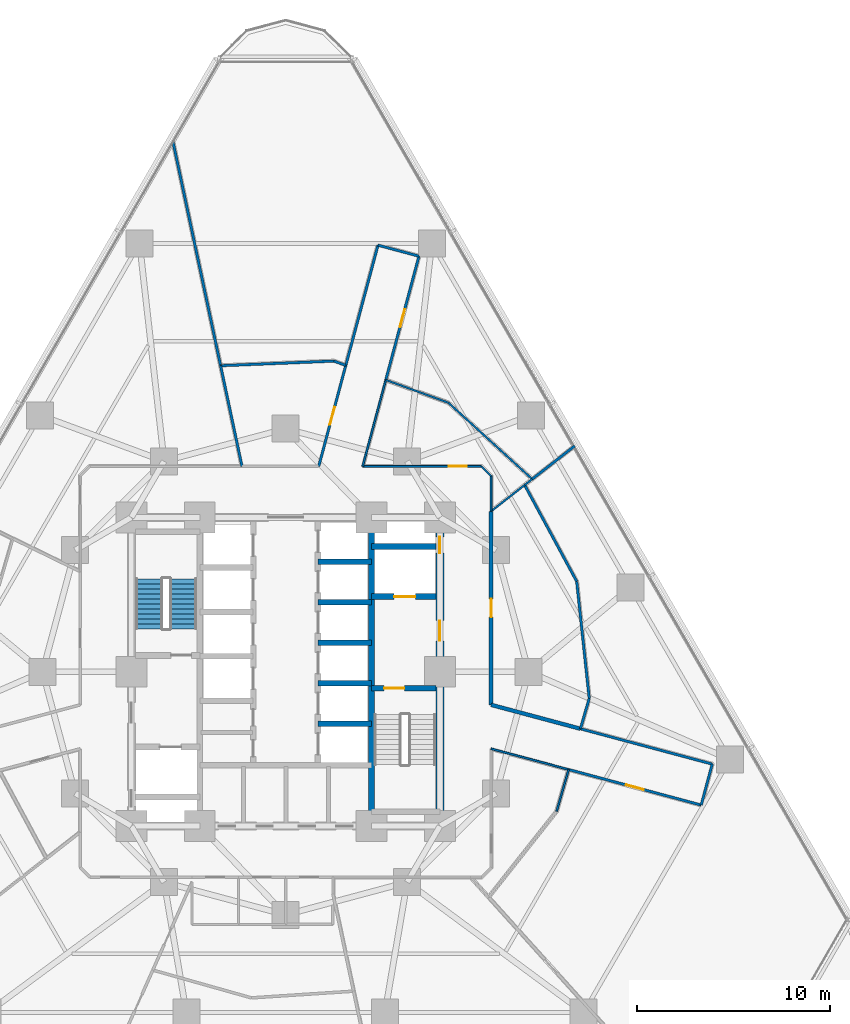
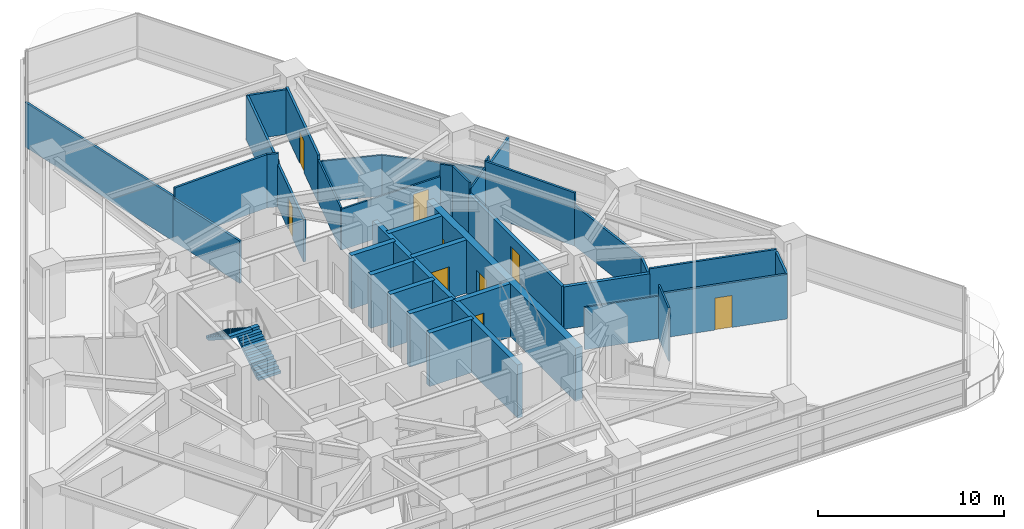
# One storey, part 10 of 15: 37 walls, 9 doors, 2 stair flights, 9 openings, 1 element without a shape of its own.
"""IFC4 building model written with IfcOpenShell, lengths in metres."""

from ifc_helpers import new_model, si_unit, direction, frame, frame_2d, origin, place, context, subcontext, project, spatial, polyline, rectangle, outline, extrude, material, layer, layer_set, type_object, element, fill, aggregate, save


model = new_model("IFC4")

# Units and contexts
model_context = context("Model", 3, precision=1e-05, world=origin(), true_north=direction((0.0, 1.0)))
body_context = subcontext(model_context, "Body", "Model", "MODEL_VIEW")
ifc_project = project(units=[si_unit("LENGTHUNIT", "METRE"), si_unit("AREAUNIT", "SQUARE_METRE"), si_unit("VOLUMEUNIT", "CUBIC_METRE"), si_unit("PLANEANGLEUNIT", "RADIAN"), si_unit("MASSUNIT", "GRAM", prefix="KILO")], contexts=[model_context])

# Site, building, storey
site_placement = place(None, origin())
site = spatial("IfcSite", under=ifc_project, at=site_placement, CompositionType="ELEMENT")
building_placement = place(site_placement, origin())
building = spatial("IfcBuilding", under=site, at=building_placement, Name="Terralouvre Media Tower", CompositionType="ELEMENT")
storey_placement = place(building_placement, frame((0.0, 0.0, 48.199951171875)))
storey = spatial("IfcBuildingStorey", under=building, at=storey_placement, Name="L11", CompositionType="ELEMENT", Elevation=48.199951171875)

# Wall
ifc_material_1 = material(Name="Concrete C50/60", Category="concrete")
ifc_layer_1 = layer(ifc_material_1, 0.300048828125, Name="Core Internal Shaft Wall CW-300")
ifc_layer_set_1 = layer_set([ifc_layer_1], Name="Concrete C50/60")
wall_type_1 = type_object("IfcWallType", Name="Core Internal Shaft Wall CW-300", PredefinedType="SHEAR", material=ifc_layer_set_1)
wall_1_placement = place(storey_placement, frame((4.449951171875, -7.7900390625, 0.0), z_axis=(0.0, 0.0, 1.0), x_axis=(0.0, 1.0, 0.0)))
element("IfcWall", 1, at=wall_1_placement, inside=storey, type_object=wall_type_1, Name="L11 Core Shaft Wall SPE", PredefinedType="SHEAR", context=body_context, shape_type="SweptSolid", body=[
    extrude(rectangle(XDim=15.580078125, YDim=0.300048828125, at=frame_2d((7.7900390625, 0.0))), origin(), (0.0, 0.0, 1.0), 3.5),
])

# Wall, opening, door
wall_2_placement = place(storey_placement, frame((4.449951171875, -0.85009765625, 0.0), z_axis=(0.0, 0.0, 1.0), x_axis=(1.0, 0.0, 0.0)))
wall_2 = element("IfcWall", 2, at=wall_2_placement, inside=storey, type_object=wall_type_1, Name="L11 Core Shaft Wall ST2D", PredefinedType="SHEAR", context=body_context, shape_type="SweptSolid", body=[
    extrude(rectangle(XDim=3.340087890625, YDim=0.300048828125, at=frame_2d((1.669921875, 0.0))), origin(), (0.0, 0.0, 1.0), 3.5),
])
opening_1_placement = place(wall_2_placement, frame((0.64990234375, 0.0, 0.0)))
opening_1 = element("IfcOpeningElement", 3, at=opening_1_placement, cuts=wall_2, Name="Opening FD-01-105X215", PredefinedType="OPENING", context=body_context, shape_type="SweptSolid", body=[
    extrude(rectangle(XDim=1.050048828125, YDim=2.14990234375, at=frame_2d((0.52490234375, 1.074951171875))), frame((0.0, 0.159912109375, 0.0), z_axis=(0.0, -1.0, 0.0), x_axis=(1.0, 0.0, 0.0)), (0.0, 0.0, 1.0), 0.320068359375),
])
ifc_material_2 = material(Name="Galvanised steel fire-resisting leaf", Category="steel")
door_type_1 = type_object("IfcDoorType", Name="Stair and Firefighting Lobby Fire Door FD-01 (1050x2150)", OperationType="NOTDEFINED", PredefinedType="DOOR", material=ifc_material_2)
door_1_placement = place(opening_1_placement, origin())
door_1 = element("IfcDoor", 4, at=door_1_placement, inside=storey, type_object=door_type_1, Name="L11 ST-02 Exit Stair Door", OperationType="SINGLE_SWING_RIGHT", OverallHeight=2.14990234375, OverallWidth=1.050048828125, PredefinedType="DOOR", context=body_context, shape_type="SweptSolid", body=[
    extrude(rectangle(XDim=1.050048828125, YDim=2.14990234375, at=frame_2d((0.52490234375, 1.074951171875))), frame((0.0, 0.02490234375, 0.0), z_axis=(0.0, -1.0, 0.0), x_axis=(1.0, 0.0, 0.0)), (0.0, 0.0, 1.0), 0.050048828125),
])
fill(opening_1, door_1)

wall_3_placement = place(storey_placement, frame((4.449951171875, 3.89990234375, 0.0), z_axis=(0.0, 0.0, 1.0), x_axis=(1.0, 0.0, 0.0)))
wall_3 = element("IfcWall", 5, at=wall_3_placement, inside=storey, type_object=wall_type_1, Name="L11 Core Shaft Wall FF2S", PredefinedType="SHEAR", context=body_context, shape_type="SweptSolid", body=[
    extrude(rectangle(XDim=3.340087890625, YDim=0.300048828125, at=frame_2d((1.669921875, 0.0))), origin(), (0.0, 0.0, 1.0), 3.5),
])
opening_2_placement = place(wall_3_placement, frame((1.179931640625, 0.0, 0.0)))
opening_2 = element("IfcOpeningElement", 6, at=opening_2_placement, cuts=wall_3, Name="Opening LD-FF", PredefinedType="OPENING", context=body_context, shape_type="SweptSolid", body=[
    extrude(rectangle(XDim=1.10009765625, YDim=2.10009765625, at=frame_2d((0.550048828125, 1.050048828125))), frame((0.0, 0.159912109375, 0.0), z_axis=(0.0, -1.0, 0.0), x_axis=(1.0, 0.0, 0.0)), (0.0, 0.0, 1.0), 0.320068359375),
])
ifc_material_3 = material(Name="Stainless steel 316 handrail and balustrade", Category="steel")
door_type_2 = type_object("IfcDoorType", Name="Firefighting Lift Sliding Landing Door LD-FF", OperationType="SLIDING_TO_LEFT", PredefinedType="DOOR", material=ifc_material_3)
door_2_placement = place(opening_2_placement, origin())
door_2 = element("IfcDoor", 7, at=door_2_placement, inside=storey, type_object=door_type_2, Name="L11 Firefighting Lift FFL-02 Landing Door", OperationType="SLIDING_TO_LEFT", OverallHeight=2.10009765625, OverallWidth=1.10009765625, PredefinedType="DOOR", context=body_context, shape_type="SweptSolid", body=[
    extrude(rectangle(XDim=1.10009765625, YDim=2.10009765625, at=frame_2d((0.550048828125, 1.050048828125))), frame((0.0, 0.02490234375, 0.0), z_axis=(0.0, -1.0, 0.0), x_axis=(1.0, 0.0, 0.0)), (0.0, 0.0, 1.0), 0.050048828125),
])
fill(opening_2, door_2)

# Walls
wall_4_placement = place(storey_placement, frame((4.449951171875, 6.5, 0.0), z_axis=(0.0, 0.0, 1.0), x_axis=(1.0, 0.0, 0.0)))
element("IfcWall", 8, at=wall_4_placement, inside=storey, type_object=wall_type_1, Name="L11 Core Shaft Wall FF2N", PredefinedType="SHEAR", context=body_context, shape_type="SweptSolid", body=[
    extrude(rectangle(XDim=3.340087890625, YDim=0.300048828125, at=frame_2d((1.669921875, 0.0))), origin(), (0.0, 0.0, 1.0), 3.5),
])
for number, where, z_axis, x_axis, name in (
    (9, (1.679931640625, 1.5, 0.0), (0.0, 0.0, 1.0), (1.0, 0.0, 0.0), "L11 Core Shaft Wall PLMD0"),
    (10, (1.679931640625, 3.60009765625, 0.0), (0.0, 0.0, 1.0), (1.0, 0.0, 0.0), "L11 Core Shaft Wall PLMD1"),
    (11, (1.679931640625, 5.699951171875, 0.0), (0.0, 0.0, 1.0), (1.0, 0.0, 0.0), "L11 Core Shaft Wall PLMD2"),
    (12, (1.679931640625, -2.699951171875, 0.0), (0.0, 0.0, 1.0), (1.0, 0.0, 0.0), "L11 Core Shaft Wall PLHD1"),
    (13, (1.679931640625, -0.60009765625, 0.0), (0.0, 0.0, 1.0), (1.0, 0.0, 0.0), "L11 Core Shaft Wall PLHD2"),
):
    element("IfcWall", number, at=place(storey_placement, frame(where, z_axis=z_axis, x_axis=x_axis)), inside=storey, type_object=wall_type_1, Name=name, PredefinedType="SHEAR", context=body_context, shape_type="SweptSolid", body=[
        extrude(rectangle(XDim=2.77001953125, YDim=0.300048828125, at=frame_2d((1.385009765625, 0.0))), origin(), (0.0, 0.0, 1.0), 3.5),
    ])

# Wall, openings, doors
ifc_material_4 = material(Name="Concrete C60/75", Category="concrete")
ifc_layer_2 = layer(ifc_material_4, 0.419921875, Name="Core Reinforced Concrete Shear Wall CW-420")
ifc_layer_set_2 = layer_set([ifc_layer_2], Name="Concrete C60/75")
wall_type_2 = type_object("IfcWallType", Name="Core Reinforced Concrete Shear Wall CW-420", PredefinedType="SHEAR", material=ifc_layer_set_2)
wall_5_placement = place(storey_placement, frame((8.0, -8.0, 0.0), z_axis=(0.0, 0.0, 1.0), x_axis=(0.0, 1.0, 0.0)))
wall_5 = element("IfcWall", 14, at=wall_5_placement, inside=storey, type_object=wall_type_2, Name="L11 E Core Shear Wall", PredefinedType="SHEAR", context=body_context, shape_type="SweptSolid", body=[
    extrude(rectangle(XDim=16.0, YDim=0.419921875, at=frame_2d((8.0, 0.0))), origin(), (0.0, 0.0, 1.0), 3.5),
])
opening_3_placement = place(wall_5_placement, frame((9.60009765625, 0.0, 0.0)))
opening_3 = element("IfcOpeningElement", 15, at=opening_3_placement, cuts=wall_5, Name="Opening FD-01-105X215", PredefinedType="OPENING", context=body_context, shape_type="SweptSolid", body=[
    extrude(rectangle(XDim=1.050048828125, YDim=2.14990234375, at=frame_2d((0.52490234375, 1.074951171875))), frame((0.0, 0.219970703125, 0.0), z_axis=(0.0, -1.0, 0.0), x_axis=(1.0, 0.0, 0.0)), (0.0, 0.0, 1.0), 0.43994140625),
])
opening_4_placement = place(wall_5_placement, frame((14.148193359375, 0.0, 0.0)))
opening_4 = element("IfcOpeningElement", 16, at=opening_4_placement, cuts=wall_5, Name="Opening TD-R1", PredefinedType="OPENING", context=body_context, shape_type="SweptSolid", body=[
    extrude(rectangle(XDim=0.85009765625, YDim=2.02001953125, at=frame_2d((0.425048828125, 1.010009765625))), frame((0.0, 0.219970703125, 0.0), z_axis=(0.0, -1.0, 0.0), x_axis=(1.0, 0.0, 0.0)), (0.0, 0.0, 1.0), 0.43994140625),
])
ifc_material_5 = material(Name="Galvanised steel fire-resisting leaf", Category="steel")
door_type_3 = type_object("IfcDoorType", Name="Riser Inspection Access Trapdoor TD-R1", OperationType="NOTDEFINED", PredefinedType="TRAPDOOR", material=ifc_material_5)
door_3_placement = place(opening_4_placement, origin())
door_3 = element("IfcDoor", 17, at=door_3_placement, inside=storey, type_object=door_type_3, Name="L11 East Comms Riser Access Trapdoor", OperationType="SINGLE_SWING_RIGHT", OverallHeight=2.02001953125, OverallWidth=0.85009765625, PredefinedType="TRAPDOOR", context=body_context, shape_type="SweptSolid", body=[
    extrude(rectangle(XDim=0.85009765625, YDim=2.02001953125, at=frame_2d((0.425048828125, 1.010009765625))), frame((0.0, 0.02490234375, 0.0), z_axis=(0.0, -1.0, 0.0), x_axis=(1.0, 0.0, 0.0)), (0.0, 0.0, 1.0), 0.050048828125),
])
fill(opening_4, door_3)
door_4_placement = place(opening_3_placement, origin())
door_4 = element("IfcDoor", 18, at=door_4_placement, inside=storey, type_object=door_type_1, Name="L11 East Firefighting Lobby Entry Door", OperationType="SINGLE_SWING_LEFT", OverallHeight=2.14990234375, OverallWidth=1.050048828125, PredefinedType="DOOR", context=body_context, shape_type="SweptSolid", body=[
    extrude(rectangle(XDim=1.050048828125, YDim=2.14990234375, at=frame_2d((0.52490234375, 1.074951171875))), frame((0.0, 0.02490234375, 0.0), z_axis=(0.0, -1.0, 0.0), x_axis=(1.0, 0.0, 0.0)), (0.0, 0.0, 1.0), 0.050048828125),
])
fill(opening_3, door_4)

# Walls
ifc_material_6 = material(Name="Low-iron laminated double glazing with solar-control coating", Category="glass")
ifc_layer_3 = layer(ifc_material_6, 0.10009765625, Name="Demountable Glazed Office Partition PT-GL100")
ifc_layer_set_3 = layer_set([ifc_layer_3], Name="Low-iron laminated double glazing with solar-control coating")
wall_type_3 = type_object("IfcWallType", Name="Demountable Glazed Office Partition PT-GL100", PredefinedType="MOVABLE", material=ifc_layer_set_3)
wall_6_placement = place(storey_placement, frame((10.64990234375, 8.321044921875, 0.0), z_axis=(0.0, 0.0, 1.0), x_axis=(0.0, 1.0, 0.0)))
element("IfcWall", 19, at=wall_6_placement, inside=storey, type_object=wall_type_3, Name="L11 Interior Partition 001", PredefinedType="MOVABLE", context=body_context, shape_type="SweptSolid", body=[
    extrude(rectangle(XDim=1.828857421875, YDim=0.10009765625, at=frame_2d((0.91455078125, 0.0))), origin(), (0.0, 0.0, 1.0), 3.5),
])
wall_7_placement = place(storey_placement, frame((10.64990234375, 10.14990234375, 0.0), z_axis=(0.0, 0.0, 1.0), x_axis=(-0.707106781187, 0.707106781187, 0.0)))
element("IfcWall", 20, at=wall_7_placement, inside=storey, type_object=wall_type_3, Name="L11 Interior Partition 002", PredefinedType="MOVABLE", context=body_context, shape_type="SweptSolid", body=[
    extrude(rectangle(XDim=0.70703125, YDim=0.10009765625, at=frame_2d((0.353515625, 0.0))), origin(), (0.0, 0.0, 1.0), 3.5),
])

# Wall, opening, door
wall_8_placement = place(storey_placement, frame((10.14990234375, 10.64990234375, 0.0), z_axis=(0.0, 0.0, 1.0), x_axis=(-1.0, 0.0, 0.0)))
wall_8 = element("IfcWall", 21, at=wall_8_placement, inside=storey, type_object=wall_type_3, Name="L11 Interior Partition 003", PredefinedType="MOVABLE", context=body_context, shape_type="SweptSolid", body=[
    extrude(rectangle(XDim=6.157958984375, YDim=0.10009765625, at=frame_2d((3.0791015625, 0.0))), origin(), (0.0, 0.0, 1.0), 2.68505859375),
])
opening_5_placement = place(wall_8_placement, frame((0.756591796875, 0.0, 0.0)))
opening_5 = element("IfcOpeningElement", 22, at=opening_5_placement, cuts=wall_8, Name="Opening ID-02-95X210", PredefinedType="OPENING", context=body_context, shape_type="SweptSolid", body=[
    extrude(rectangle(XDim=0.949951171875, YDim=2.10009765625, at=frame_2d((0.47509765625, 1.050048828125))), frame((0.0, 0.06005859375, 0.0), z_axis=(0.0, -1.0, 0.0), x_axis=(1.0, 0.0, 0.0)), (0.0, 0.0, 1.0), 0.1201171875),
])
ifc_material_7 = material(Name="Engineered hardwood acoustic timber leaf", Category="wood")
door_type_4 = type_object("IfcDoorType", Name="Office and Meeting Room Door ID-02 (950x2100)", OperationType="NOTDEFINED", PredefinedType="DOOR", material=ifc_material_7)
door_5_placement = place(opening_5_placement, origin())
door_5 = element("IfcDoor", 23, at=door_5_placement, inside=storey, type_object=door_type_4, Name="L11 Voice Coaching Interview Room 1 Door", OperationType="SINGLE_SWING_RIGHT", OverallHeight=2.10009765625, OverallWidth=0.949951171875, PredefinedType="DOOR", context=body_context, shape_type="SweptSolid", body=[
    extrude(rectangle(XDim=0.949951171875, YDim=2.10009765625, at=frame_2d((0.47509765625, 1.050048828125))), frame((0.0, 0.02490234375, 0.0), z_axis=(0.0, -1.0, 0.0), x_axis=(1.0, 0.0, 0.0)), (0.0, 0.0, 1.0), 0.050048828125),
])
fill(opening_5, door_5)

# Walls
wall_9_placement = place(storey_placement, frame((3.991943359375, 10.64990234375, 0.0), z_axis=(0.0, 0.0, 1.0), x_axis=(0.258832601786, 0.965922193685, 0.0)))
element("IfcWall", 24, at=wall_9_placement, inside=storey, type_object=wall_type_3, Name="L11 Interior Partition 004", PredefinedType="MOVABLE", context=body_context, shape_type="SweptSolid", body=[
    extrude(rectangle(XDim=4.635986328125, YDim=0.10009765625, at=frame_2d((2.31787109375, 0.0))), origin(), (0.0, 0.0, 1.0), 2.78515625),
])
wall_10_placement = place(storey_placement, frame((10.64990234375, -3.991943359375, 0.0), z_axis=(0.0, 0.0, 1.0), x_axis=(0.965903293856, -0.258903122651, 0.0)))
element("IfcWall", 25, at=wall_10_placement, inside=storey, type_object=wall_type_3, Name="L11 Interior Partition 008", PredefinedType="MOVABLE", context=body_context, shape_type="SweptSolid", body=[
    extrude(rectangle(XDim=4.164306640625, YDim=0.10009765625, at=frame_2d((2.08203125, 0.0))), origin(), (0.0, 0.0, 1.0), 2.78515625),
])
wall_11_placement = place(storey_placement, frame((12.782958984375, 9.987060546875, 0.0), z_axis=(0.0, 0.0, 1.0), x_axis=(-0.739244565006, 0.6734370595, 0.0)))
element("IfcWall", 26, at=wall_11_placement, inside=storey, type_object=wall_type_3, Name="L11 Interior Partition 036", PredefinedType="MOVABLE", context=body_context, shape_type="SweptSolid", body=[
    extrude(rectangle(XDim=5.880126953125, YDim=0.10009765625, at=frame_2d((2.93994140625, 0.0))), origin(), (0.0, 0.0, 1.0), 2.68505859375),
])
wall_12_placement = place(storey_placement, frame((8.43603515625, 13.947021484375, 0.0), z_axis=(0.0, 0.0, 1.0), x_axis=(-0.939679812385, 0.342055332067, 0.0)))
element("IfcWall", 27, at=wall_12_placement, inside=storey, type_object=wall_type_3, Name="L11 Interior Partition 037", PredefinedType="MOVABLE", context=body_context, shape_type="SweptSolid", body=[
    extrude(rectangle(XDim=3.452392578125, YDim=0.10009765625, at=frame_2d((1.72607421875, 0.0))), origin(), (0.0, 0.0, 1.0), 2.68505859375),
])
wall_13_placement = place(storey_placement, frame((12.39111328125, 9.680908203125, 0.0), z_axis=(0.0, 0.0, 1.0), x_axis=(0.788002042991, 0.615672624243, 0.0)))
element("IfcWall", 28, at=wall_13_placement, inside=storey, type_object=wall_type_3, Name="L11 Interior Partition 038", PredefinedType="MOVABLE", context=body_context, shape_type="SweptSolid", body=[
    extrude(rectangle(XDim=0.497314453125, YDim=0.10009765625, at=frame_2d((0.24853515625, 0.0))), origin(), (0.0, 0.0, 1.0), 3.5),
])
wall_14_placement = place(storey_placement, frame((10.64990234375, 8.321044921875, 0.0), z_axis=(0.0, 0.0, 1.0), x_axis=(0.788124883644, 0.615515367624, 0.0)))
element("IfcWall", 29, at=wall_14_placement, inside=storey, type_object=wall_type_3, Name="L11 Interior Partition 039", PredefinedType="MOVABLE", context=body_context, shape_type="SweptSolid", body=[
    extrude(rectangle(XDim=2.209228515625, YDim=0.10009765625, at=frame_2d((1.1044921875, 0.0))), origin(), (0.0, 0.0, 1.0), 3.0849609375),
])
wall_15_placement = place(storey_placement, frame((14.0458984375, -7.23388671875, 0.0), z_axis=(0.0, 0.0, 1.0), x_axis=(0.277997548775, 0.960581783543, 0.0)))
element("IfcWall", 30, at=wall_15_placement, inside=storey, type_object=wall_type_3, Name="L11 Interior Partition 041", PredefinedType="MOVABLE", context=body_context, shape_type="SweptSolid", body=[
    extrude(rectangle(XDim=2.252685546875, YDim=0.10009765625, at=frame_2d((1.12646484375, 0.0))), origin(), (0.0, 0.0, 1.0), 3.5),
])
ifc_material_8 = material(Name="Fire-rated gypsum board drywall partition")
ifc_layer_4 = layer(ifc_material_8, 0.199951171875, Name="Fire-Rated Shaft and Lobby Partition FW-200")
ifc_layer_set_4 = layer_set([ifc_layer_4], Name="Fire-rated gypsum board drywall partition")
wall_type_4 = type_object("IfcWallType", Name="Fire-Rated Shaft and Lobby Partition FW-200", PredefinedType="SOLIDWALL", material=ifc_layer_set_4)
wall_16_placement = place(storey_placement, frame((15.282958984375, -2.9560546875, 0.0), z_axis=(0.0, 0.0, 1.0), x_axis=(-0.96594964167, 0.258730148528, 0.0)))
element("IfcWall", 31, at=wall_16_placement, inside=storey, type_object=wall_type_4, Name="L11 Interior Partition 022", PredefinedType="SOLIDWALL", context=body_context, shape_type="SweptSolid", body=[
    extrude(rectangle(XDim=4.79638671875, YDim=0.199951171875, at=frame_2d((2.398193359375, 0.0))), origin(), (0.0, 0.0, 1.0), 2.78515625),
])

# Wall, opening, door
wall_17_placement = place(storey_placement, frame((10.64990234375, -1.715087890625, 0.0), z_axis=(0.0, 0.0, 1.0), x_axis=(0.0, 1.0, 0.0)))
wall_17 = element("IfcWall", 32, at=wall_17_placement, inside=storey, type_object=wall_type_4, Name="L11 Interior Partition 023", PredefinedType="SOLIDWALL", context=body_context, shape_type="SweptSolid", body=[
    extrude(rectangle(XDim=10.0361328125, YDim=0.199951171875, at=frame_2d((5.01806640625, 0.0))), origin(), (0.0, 0.0, 1.0), 2.78515625),
])
opening_6_placement = place(wall_17_placement, frame((4.54296875, 0.0, 0.0)))
opening_6 = element("IfcOpeningElement", 33, at=opening_6_placement, cuts=wall_17, Name="Opening FD-02-95X210", PredefinedType="OPENING", context=body_context, shape_type="SweptSolid", body=[
    extrude(rectangle(XDim=0.949951171875, YDim=2.10009765625, at=frame_2d((0.47509765625, 1.050048828125))), frame((0.0, 0.10986328125, 0.0), z_axis=(0.0, -1.0, 0.0), x_axis=(1.0, 0.0, 0.0)), (0.0, 0.0, 1.0), 0.219970703125),
])
ifc_material_9 = material(Name="Galvanised steel fire-resisting leaf", Category="steel")
door_type_5 = type_object("IfcDoorType", Name="Plant and Riser Fire Door FD-02 (950x2100)", OperationType="NOTDEFINED", PredefinedType="DOOR", material=ifc_material_9)
door_6_placement = place(opening_6_placement, origin())
door_6 = element("IfcDoor", 34, at=door_6_placement, inside=storey, type_object=door_type_5, Name="L11 AV Teaching Rack Server Room 8 Door", OperationType="SINGLE_SWING_LEFT", OverallHeight=2.10009765625, OverallWidth=0.949951171875, PredefinedType="DOOR", context=body_context, shape_type="SweptSolid", body=[
    extrude(rectangle(XDim=0.949951171875, YDim=2.10009765625, at=frame_2d((0.47509765625, 1.050048828125))), frame((0.0, 0.02490234375, 0.0), z_axis=(0.0, -1.0, 0.0), x_axis=(1.0, 0.0, 0.0)), (0.0, 0.0, 1.0), 0.050048828125),
])
fill(opening_6, door_6)

ifc_material_10 = material(Name="Fire-rated gypsum board drywall partition")
ifc_layer_5 = layer(ifc_material_10, 0.135009765625, Name="Newsroom Acoustic Partition PT-135")
ifc_layer_set_5 = layer_set([ifc_layer_5], Name="Fire-rated gypsum board drywall partition")
wall_type_5 = type_object("IfcWallType", Name="Newsroom Acoustic Partition PT-135", PredefinedType="PARTITIONING", material=ifc_layer_set_5)
wall_18_placement = place(storey_placement, frame((5.19189453125, 15.1279296875, 0.0), z_axis=(0.0, 0.0, 1.0), x_axis=(0.258929564275, 0.965896205989, 0.0)))
wall_18 = element("IfcWall", 35, at=wall_18_placement, inside=storey, type_object=wall_type_5, Name="L11 Interior Partition 011", PredefinedType="PARTITIONING", context=body_context, shape_type="SweptSolid", body=[
    extrude(rectangle(XDim=6.6435546875, YDim=0.135009765625, at=frame_2d((3.32177734375, 0.0))), origin(), (0.0, 0.0, 1.0), 3.0849609375),
])
opening_7_placement = place(wall_18_placement, frame((2.8466796875, 0.0, 0.0)))
opening_7 = element("IfcOpeningElement", 36, at=opening_7_placement, cuts=wall_18, Name="Opening ID-02-95X210", PredefinedType="OPENING", context=body_context, shape_type="SweptSolid", body=[
    extrude(rectangle(XDim=0.949951171875, YDim=2.10009765625, at=frame_2d((0.47509765625, 1.050048828125))), frame((0.0, 0.077392578125, 0.0), z_axis=(0.0, -1.0, 0.0), x_axis=(1.0, 0.0, 0.0)), (0.0, 0.0, 1.0), 0.155029296875),
])
door_7_placement = place(opening_7_placement, origin())
door_7 = element("IfcDoor", 37, at=door_7_placement, inside=storey, type_object=door_type_4, Name="L11 Periodicals Reading Club 4 Door", OperationType="SINGLE_SWING_LEFT", OverallHeight=2.10009765625, OverallWidth=0.949951171875, PredefinedType="DOOR", context=body_context, shape_type="SweptSolid", body=[
    extrude(rectangle(XDim=0.949951171875, YDim=2.10009765625, at=frame_2d((0.47509765625, 1.050048828125))), frame((0.0, 0.02490234375, 0.0), z_axis=(0.0, -1.0, 0.0), x_axis=(1.0, 0.0, 0.0)), (0.0, 0.0, 1.0), 0.050048828125),
])
fill(opening_7, door_7)

# Walls
wall_19_placement = place(storey_placement, frame((6.912109375, 21.544921875, 0.0), z_axis=(0.0, 0.0, 1.0), x_axis=(-0.965848933329, 0.259105843213, 0.0)))
element("IfcWall", 38, at=wall_19_placement, inside=storey, type_object=wall_type_5, Name="L11 Interior Partition 012", PredefinedType="PARTITIONING", context=body_context, shape_type="SweptSolid", body=[
    extrude(rectangle(XDim=2.2001953125, YDim=0.135009765625, at=frame_2d((1.10009765625, 0.0))), origin(), (0.0, 0.0, 1.0), 2.93505859375),
])
wall_20_placement = place(storey_placement, frame((4.787109375, 22.114990234375, 0.0), z_axis=(0.0, 0.0, 1.0), x_axis=(-0.25886596283, -0.965913253501, 0.0)))
element("IfcWall", 39, at=wall_20_placement, inside=storey, type_object=wall_type_5, Name="L11 Interior Partition 013", PredefinedType="PARTITIONING", context=body_context, shape_type="SweptSolid", body=[
    extrude(rectangle(XDim=6.451904296875, YDim=0.135009765625, at=frame_2d((3.22607421875, 0.0))), origin(), (0.0, 0.0, 1.0), 2.93505859375),
])

# Wall, opening, door
wall_21_placement = place(storey_placement, frame((14.672119140625, -5.070068359375, 0.0), z_axis=(0.0, 0.0, 1.0), x_axis=(0.965908991917, -0.258881863664, 0.0)))
wall_21 = element("IfcWall", 40, at=wall_21_placement, inside=storey, type_object=wall_type_5, Name="L11 Interior Partition 014", PredefinedType="PARTITIONING", context=body_context, shape_type="SweptSolid", body=[
    extrude(rectangle(XDim=7.115478515625, YDim=0.135009765625, at=frame_2d((3.5576171875, 0.0))), origin(), (0.0, 0.0, 1.0), 2.93505859375),
])
opening_8_placement = place(wall_21_placement, frame((3.082763671875, 0.0, 0.0)))
opening_8 = element("IfcOpeningElement", 41, at=opening_8_placement, cuts=wall_21, Name="Opening ID-02-95X210", PredefinedType="OPENING", context=body_context, shape_type="SweptSolid", body=[
    extrude(rectangle(XDim=0.949951171875, YDim=2.10009765625, at=frame_2d((0.47509765625, 1.050048828125))), frame((0.0, 0.077392578125, 0.0), z_axis=(0.0, -1.0, 0.0), x_axis=(1.0, 0.0, 0.0)), (0.0, 0.0, 1.0), 0.155029296875),
])
door_8_placement = place(opening_8_placement, origin())
door_8 = element("IfcDoor", 42, at=door_8_placement, inside=storey, type_object=door_type_4, Name="L11 Faculty Consultation Office 5 Door", OperationType="SINGLE_SWING_RIGHT", OverallHeight=2.10009765625, OverallWidth=0.949951171875, PredefinedType="DOOR", context=body_context, shape_type="SweptSolid", body=[
    extrude(rectangle(XDim=0.949951171875, YDim=2.10009765625, at=frame_2d((0.47509765625, 1.050048828125))), frame((0.0, 0.02490234375, 0.0), z_axis=(0.0, -1.0, 0.0), x_axis=(1.0, 0.0, 0.0)), (0.0, 0.0, 1.0), 0.050048828125),
])
fill(opening_8, door_8)

# Walls
wall_22_placement = place(storey_placement, frame((21.544921875, -6.912109375, 0.0), z_axis=(0.0, 0.0, 1.0), x_axis=(0.259105843213, 0.965848933329, 0.0)))
element("IfcWall", 43, at=wall_22_placement, inside=storey, type_object=wall_type_5, Name="L11 Interior Partition 015", PredefinedType="PARTITIONING", context=body_context, shape_type="SweptSolid", body=[
    extrude(rectangle(XDim=2.2001953125, YDim=0.135009765625, at=frame_2d((1.10009765625, 0.0))), origin(), (0.0, 0.0, 1.0), 2.93505859375),
])
wall_23_placement = place(storey_placement, frame((22.114990234375, -4.787109375, 0.0), z_axis=(0.0, 0.0, 1.0), x_axis=(-0.96591107063, 0.258874107695, 0.0)))
element("IfcWall", 44, at=wall_23_placement, inside=storey, type_object=wall_type_5, Name="L11 Interior Partition 016", PredefinedType="PARTITIONING", context=body_context, shape_type="SweptSolid", body=[
    extrude(rectangle(XDim=7.0732421875, YDim=0.135009765625, at=frame_2d((3.53662109375, 0.0))), origin(), (0.0, 0.0, 1.0), 3.0849609375),
])

# Wall, opening, door
wall_24_placement = place(storey_placement, frame((3.116943359375, 15.883056640625, 0.0), z_axis=(0.0, 0.0, 1.0), x_axis=(-0.258756357845, -0.965942621109, 0.0)))
wall_24 = element("IfcWall", 45, at=wall_24_placement, inside=storey, type_object=wall_type_5, Name="L11 Interior Partition 017", PredefinedType="PARTITIONING", context=body_context, shape_type="SweptSolid", body=[
    extrude(rectangle(XDim=5.417724609375, YDim=0.135009765625, at=frame_2d((2.708984375, 0.0))), origin(), (0.0, 0.0, 1.0), 2.78515625),
])
opening_9_placement = place(wall_24_placement, frame((2.23388671875, 0.0, 0.0)))
opening_9 = element("IfcOpeningElement", 46, at=opening_9_placement, cuts=wall_24, Name="Opening ID-02-95X210", PredefinedType="OPENING", context=body_context, shape_type="SweptSolid", body=[
    extrude(rectangle(XDim=0.949951171875, YDim=2.10009765625, at=frame_2d((0.47509765625, 1.050048828125))), frame((0.0, 0.077392578125, 0.0), z_axis=(0.0, -1.0, 0.0), x_axis=(1.0, 0.0, 0.0)), (0.0, 0.0, 1.0), 0.155029296875),
])
door_9_placement = place(opening_9_placement, origin())
door_9 = element("IfcDoor", 47, at=door_9_placement, inside=storey, type_object=door_type_4, Name="L11 Editorial Collaborative Open Office 6 Door", OperationType="SINGLE_SWING_LEFT", OverallHeight=2.10009765625, OverallWidth=0.949951171875, PredefinedType="DOOR", context=body_context, shape_type="SweptSolid", body=[
    extrude(rectangle(XDim=0.949951171875, YDim=2.10009765625, at=frame_2d((0.47509765625, 1.050048828125))), frame((0.0, 0.02490234375, 0.0), z_axis=(0.0, -1.0, 0.0), x_axis=(1.0, 0.0, 0.0)), (0.0, 0.0, 1.0), 0.050048828125),
])
fill(opening_9, door_9)

# Walls
wall_25_placement = place(storey_placement, frame((12.782958984375, 9.987060546875, 0.0), z_axis=(0.0, 0.0, 1.0), x_axis=(0.788064029995, 0.615593278576, 0.0)))
element("IfcWall", 48, at=wall_25_placement, inside=storey, type_object=wall_type_5, Name="L11 Interior Partition 045", PredefinedType="PARTITIONING", context=body_context, shape_type="SweptSolid", body=[
    extrude(rectangle(XDim=2.800048828125, YDim=0.135009765625, at=frame_2d((1.39990234375, 0.0))), origin(), (0.0, 0.0, 1.0), 2.93505859375),
])
wall_26_placement = place(storey_placement, frame((-3.373046875, 15.866943359375, 0.0), z_axis=(0.0, 0.0, 1.0), x_axis=(0.999166982533, 0.040808589988, 0.0)))
element("IfcWall", 49, at=wall_26_placement, inside=storey, type_object=wall_type_5, Name="L11 Interior Partition 046", PredefinedType="PARTITIONING", context=body_context, shape_type="SweptSolid", body=[
    extrude(rectangle(XDim=5.880859375, YDim=0.135009765625, at=frame_2d((2.9404296875, 0.0))), origin(), (0.0, 0.0, 1.0), 3.5),
])
wall_27_placement = place(storey_placement, frame((2.5029296875, 16.10693359375, 0.0), z_axis=(0.0, 0.0, 1.0), x_axis=(0.93949859082, -0.342552766514, 0.0)))
element("IfcWall", 50, at=wall_27_placement, inside=storey, type_object=wall_type_5, Name="L11 Interior Partition 047", PredefinedType="PARTITIONING", context=body_context, shape_type="SweptSolid", body=[
    extrude(rectangle(XDim=0.653564453125, YDim=0.135009765625, at=frame_2d((0.32666015625, 0.0))), origin(), (0.0, 0.0, 1.0), 3.5),
])
wall_28_placement = place(storey_placement, frame((-5.853515625, 27.53515625, 0.0), z_axis=(0.0, 0.0, 1.0), x_axis=(0.207936838286, -0.978142255137, 0.0)))
element("IfcWall", 51, at=wall_28_placement, inside=storey, type_object=wall_type_5, Name="L11 Interior Partition 048", PredefinedType="PARTITIONING", context=body_context, shape_type="SweptSolid", body=[
    extrude(rectangle(XDim=11.928955078125, YDim=0.135009765625, at=frame_2d((5.96435546875, 0.0))), origin(), (0.0, 0.0, 1.0), 2.93505859375),
])
wall_29_placement = place(storey_placement, frame((12.39111328125, 9.680908203125, 0.0), z_axis=(0.0, 0.0, 1.0), x_axis=(0.475181539821, -0.879887779329, 0.0)))
element("IfcWall", 52, at=wall_29_placement, inside=storey, type_object=wall_type_5, Name="L11 Interior Partition 049", PredefinedType="PARTITIONING", context=body_context, shape_type="SweptSolid", body=[
    extrude(rectangle(XDim=5.677734375, YDim=0.135009765625, at=frame_2d((2.8388671875, 0.0))), origin(), (0.0, 0.0, 1.0), 3.5),
])
wall_30_placement = place(storey_placement, frame((15.089111328125, 4.68505859375, 0.0), z_axis=(0.0, 0.0, 1.0), x_axis=(0.106756517352, -0.994285193495, 0.0)))
element("IfcWall", 53, at=wall_30_placement, inside=storey, type_object=wall_type_5, Name="L11 Interior Partition 050", PredefinedType="PARTITIONING", context=body_context, shape_type="SweptSolid", body=[
    extrude(rectangle(XDim=6.096923828125, YDim=0.135009765625, at=frame_2d((3.04833984375, 0.0))), origin(), (0.0, 0.0, 1.0), 2.68505859375),
])
wall_31_placement = place(storey_placement, frame((15.739990234375, -1.376953125, 0.0), z_axis=(0.0, 0.0, 1.0), x_axis=(-0.2780148037, -0.960576789707, 0.0)))
element("IfcWall", 54, at=wall_31_placement, inside=storey, type_object=wall_type_5, Name="L11 Interior Partition 051", PredefinedType="PARTITIONING", context=body_context, shape_type="SweptSolid", body=[
    extrude(rectangle(XDim=1.643798828125, YDim=0.135009765625, at=frame_2d((0.82177734375, 0.0))), origin(), (0.0, 0.0, 1.0), 2.68505859375),
])
wall_32_placement = place(storey_placement, frame((-3.373046875, 15.866943359375, 0.0), z_axis=(0.0, 0.0, 1.0), x_axis=(0.20795017925, -0.978139418974, 0.0)))
element("IfcWall", 55, at=wall_32_placement, inside=storey, type_object=wall_type_5, Name="L11 Interior Partition 053", PredefinedType="PARTITIONING", context=body_context, shape_type="SweptSolid", body=[
    extrude(rectangle(XDim=5.333740234375, YDim=0.135009765625, at=frame_2d((2.6669921875, 0.0))), origin(), (0.0, 0.0, 1.0), 2.78515625),
])

# Stair, stair flights
ifc_material_11 = material(Name="Concrete C45/55", Category="concrete")
stair_type = type_object("IfcStairType", Name="Dogleg Stair Assembly ST-01", PredefinedType="HALF_TURN_STAIR", material=ifc_material_11)
stair_placement = place(storey_placement, origin())
stair = element("IfcStair", 56, at=stair_placement, inside=storey, type_object=stair_type, Name="L11 Core Pressurised Exit Stair ST-01", PredefinedType="HALF_TURN_STAIR")
ifc_material_12 = material(Name="Concrete C45/55", Category="concrete")
stair_flight_type = type_object("IfcStairFlightType", Name="Reinforced Concrete Stair Flight SF-RC1", PredefinedType="STRAIGHT", material=ifc_material_12)
stair_flight_1_placement = place(storey_placement, frame((-5.300048828125, 2.219970703125, 0.0), z_axis=(0.0, 0.0, 1.0), x_axis=(0.0, 1.0, 0.0)))
stair_flight_1 = element("IfcStairFlight", 57, at=stair_flight_1_placement, type_object=stair_flight_type, Name="ST-01 flight 1", NumberOfRisers=11, NumberOfTreads=10, PredefinedType="STRAIGHT", RiserHeight=0.168181818, TreadLength=0.26, context=body_context, shape_type="SweptSolid", body=[
    extrude(outline(polyline([(0.0, 0.0), (0.0, 0.168212890625), (0.260009765625, 0.168212890625), (0.260009765625, 0.33642578125), (0.52001953125, 0.33642578125), (0.52001953125, 0.504638671875), (0.780029296875, 0.504638671875), (0.780029296875, 0.672607421875), (1.0400390625, 0.672607421875), (1.0400390625, 0.8408203125), (1.300048828125, 0.8408203125), (1.300048828125, 1.009033203125), (1.56005859375, 1.009033203125), (1.56005859375, 1.17724609375), (1.820068359375, 1.17724609375), (1.820068359375, 1.345458984375), (2.080078125, 1.345458984375), (2.080078125, 1.513671875), (2.340087890625, 1.513671875), (2.340087890625, 1.681884765625), (2.60009765625, 1.681884765625), (2.60009765625, 1.85009765625), (2.60009765625, 1.503173828125), (0.27587890625, 0.0), (0.0, 0.0)])), frame((0.0, 0.699951171875, 0.0), z_axis=(0.0, -1.0, 0.0), x_axis=(1.0, 0.0, 0.0)), (0.0, 0.0, 1.0), 1.39990234375),
])
stair_flight_2_placement = place(storey_placement, frame((-7.080078125, 4.820068359375, 1.85009765625), z_axis=(0.0, 0.0, 1.0), x_axis=(0.0, -1.0, 0.0)))
stair_flight_2 = element("IfcStairFlight", 58, at=stair_flight_2_placement, type_object=stair_flight_type, Name="ST-01 flight 2", NumberOfRisers=11, NumberOfTreads=10, PredefinedType="STRAIGHT", RiserHeight=0.168181818, TreadLength=0.26, context=body_context, shape_type="SweptSolid", body=[
    extrude(outline(polyline([(0.0, 0.0), (0.0, 0.168212890625), (0.260009765625, 0.168212890625), (0.260009765625, 0.33642578125), (0.52001953125, 0.33642578125), (0.52001953125, 0.504638671875), (0.780029296875, 0.504638671875), (0.780029296875, 0.672607421875), (1.0400390625, 0.672607421875), (1.0400390625, 0.8408203125), (1.300048828125, 0.8408203125), (1.300048828125, 1.009033203125), (1.56005859375, 1.009033203125), (1.56005859375, 1.17724609375), (1.820068359375, 1.17724609375), (1.820068359375, 1.345458984375), (2.080078125, 1.345458984375), (2.080078125, 1.513671875), (2.340087890625, 1.513671875), (2.340087890625, 1.681884765625), (2.60009765625, 1.681884765625), (2.60009765625, 1.85009765625), (2.60009765625, 1.503173828125), (0.27587890625, 0.0), (0.0, 0.0)])), frame((0.0, 0.699951171875, 0.0), z_axis=(0.0, -1.0, 0.0), x_axis=(1.0, 0.0, 0.0)), (0.0, 0.0, 1.0), 1.39990234375),
])
aggregate(stair, [stair_flight_1, stair_flight_2])

save(model, "model.ifc")
